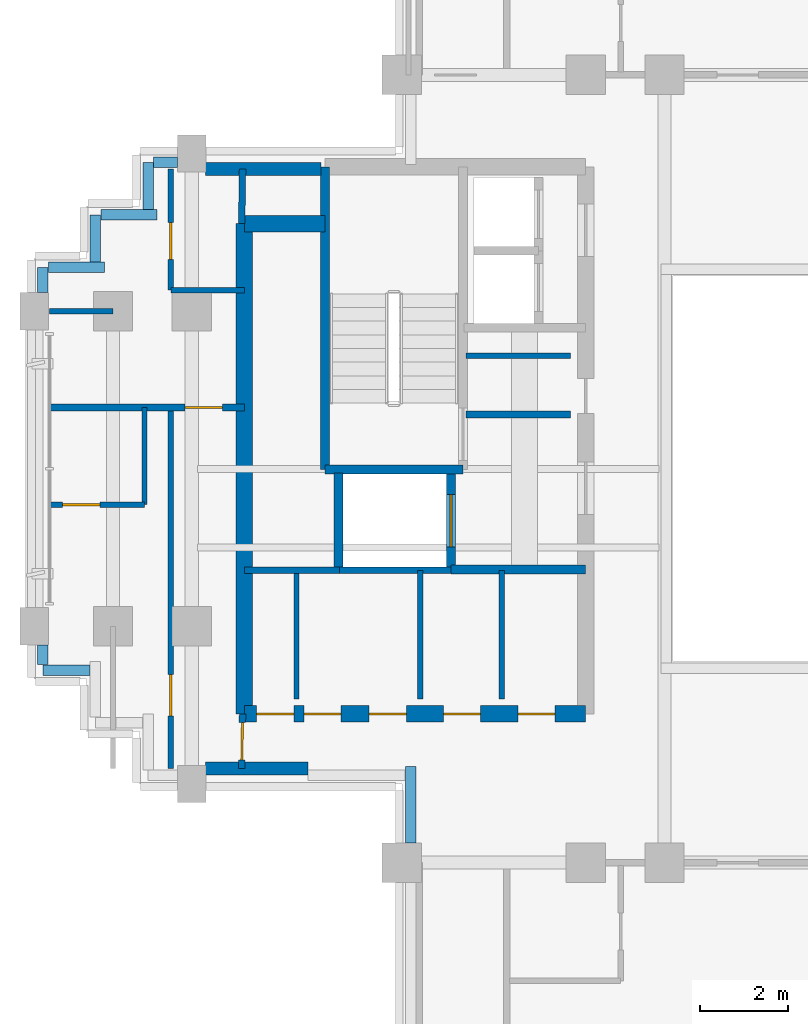
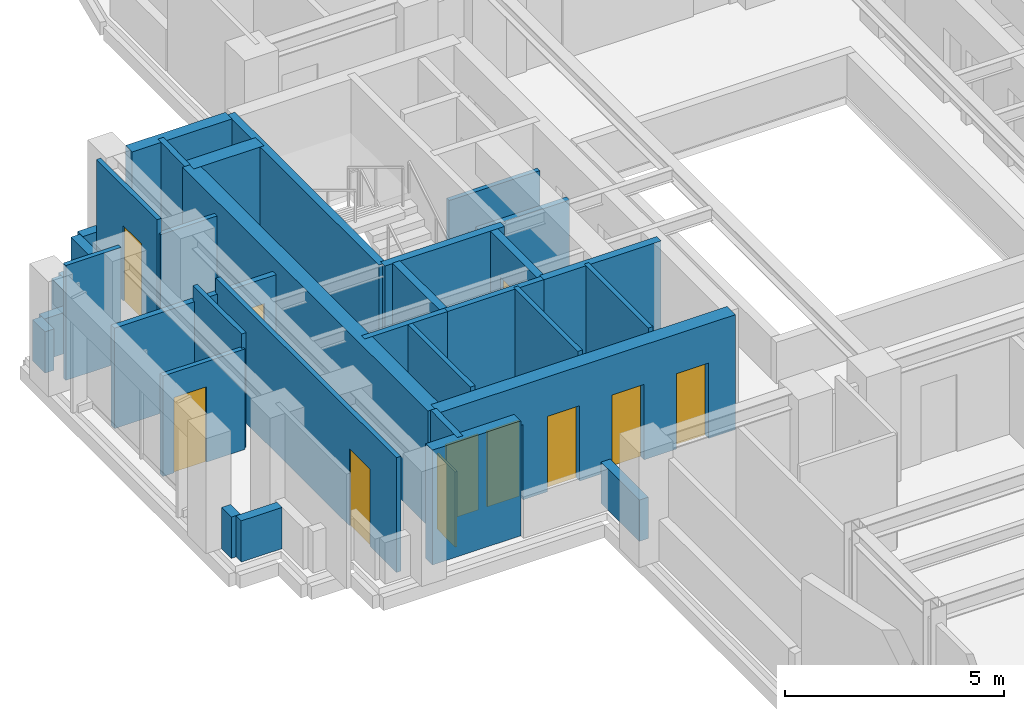
# One storey, part 6 of 12: 35 walls, 11 doors, 11 openings.
"""IFC4 building model written with IfcOpenShell, lengths in metres."""

from ifc_helpers import new_model, si_unit, direction, frame, frame_2d, origin, place, context, subcontext, project, spatial, rectangle, extrude, source, transform, mapped, material, layer, layer_set, type_object, element, fill, save


model = new_model("IFC4")

# Units and contexts
model_context = context("Model", 3, precision=1e-05, world=origin(), true_north=direction((0.0, 1.0)))
body_context = subcontext(model_context, "Body", "Model", "MODEL_VIEW")
ifc_project = project(units=[si_unit("LENGTHUNIT", "METRE"), si_unit("AREAUNIT", "SQUARE_METRE"), si_unit("VOLUMEUNIT", "CUBIC_METRE"), si_unit("PLANEANGLEUNIT", "RADIAN"), si_unit("MASSUNIT", "GRAM", prefix="KILO")], contexts=[model_context])

# Site, building, storey
site_placement = place(None, origin())
site = spatial("IfcSite", under=ifc_project, at=site_placement, CompositionType="ELEMENT")
building_placement = place(site_placement, origin())
building = spatial("IfcBuilding", under=site, at=building_placement, Name="Keilestroom Media Tower", CompositionType="ELEMENT")
storey_placement = place(building_placement, frame((0.0, 0.0, 191.0)))
storey = spatial("IfcBuildingStorey", under=building, at=storey_placement, Name="L52", CompositionType="ELEMENT", Elevation=191.0)

# Walls
ifc_material_1 = material(Name="Precast concrete C40/50", Category="concrete")
ifc_layer_1 = layer(ifc_material_1, 0.300048828125)
ifc_layer_set_1 = layer_set([ifc_layer_1], Name="Precast concrete C40/50")
wall_type_1 = type_object("IfcWallType", Name="Exterior-Masonry-Spandrel-Wall-300", PredefinedType="SOLIDWALL", material=ifc_layer_set_1)
wall_1_placement = place(storey_placement, frame((-14.0830078125, 6.85009765625, 0.0), z_axis=(0.0, 0.0, 1.0), x_axis=(1.0, 0.0, 0.0)))
element("IfcWall", 1, at=wall_1_placement, inside=storey, type_object=wall_type_1, Name="L52 Flank Masonry Wall EWL-L52-NW-1", PredefinedType="SOLIDWALL", context=body_context, shape_type="SweptSolid", body=[
    extrude(rectangle(XDim=2.635009765625, YDim=0.300048828125, at=frame_2d((1.3173828125, 0.0))), origin(), (0.0, 0.0, 1.0), 3.199951171875),
])
wall_2_placement = place(storey_placement, frame((-14.0830078125, -6.85009765625, 0.0), z_axis=(0.0, 0.0, 1.0), x_axis=(1.0, 0.0, 0.0)))
element("IfcWall", 2, at=wall_2_placement, inside=storey, type_object=wall_type_1, Name="L52 Flank Masonry Wall EWL-L52-SW-1", PredefinedType="SOLIDWALL", context=body_context, shape_type="SweptSolid", body=[
    extrude(rectangle(XDim=2.3330078125, YDim=0.300048828125, at=frame_2d((1.16650390625, 0.0))), origin(), (0.0, 0.0, 1.0), 3.199951171875),
])
ifc_material_2 = material(Name="Gypsum Plasterboard & Steel Stud", Category="steel")
ifc_layer_2 = layer(ifc_material_2, 0.1201171875)
ifc_layer_set_2 = layer_set([ifc_layer_2], Name="Gypsum Plasterboard & Steel Stud")
wall_type_2 = type_object("IfcWallType", Name="Interior-Partition-Wall-120", PredefinedType="PARTITIONING", material=ifc_layer_set_2)
wall_3_placement = place(storey_placement, frame((-8.139892578125, 2.580078125, 0.0), z_axis=(0.0, 0.0, 1.0), x_axis=(1.0, 0.0, 0.0)))
element("IfcWall", 3, at=wall_3_placement, inside=storey, type_object=wall_type_2, Name="L52 Interior Wall WP-L52-CNW-N", PredefinedType="PARTITIONING", context=body_context, shape_type="SweptSolid", body=[
    extrude(rectangle(XDim=2.389892578125, YDim=0.1201171875, at=frame_2d((1.19482421875, 0.0))), origin(), (0.0, 0.0, 1.0), 2.300048828125),
])
for number, where, z_axis, x_axis, name in (
    (4, (-12.010009765625, -5.260009765625, 0.0), (0.0, 0.0, 1.0), (0.0, 1.0, 0.0), "L52 Interior Wall WP-L52-RECLW-M"),
    (5, (-9.179931640625, -5.260009765625, 0.0), (0.0, 0.0, 1.0), (0.0, 1.0, 0.0), "L52 Interior Wall WP-L52-RECMW-M1"),
    (6, (-7.320068359375, -5.260009765625, 0.0), (0.0, 0.0, 1.0), (0.0, 1.0, 0.0), "L52 Interior Wall WP-L52-RECMW-M2"),
):
    element("IfcWall", number, at=place(storey_placement, frame(where, z_axis=z_axis, x_axis=x_axis)), inside=storey, type_object=wall_type_2, Name=name, PredefinedType="PARTITIONING", context=body_context, shape_type="SweptSolid", body=[
        extrude(rectangle(XDim=2.93994140625, YDim=0.1201171875, at=frame_2d((1.469970703125, 0.0))), origin(), (0.0, 0.0, 1.0), 3.199951171875),
    ])
wall_4_placement = place(storey_placement, frame((-17.64990234375, 3.60009765625, 0.0), z_axis=(0.0, 0.0, 1.0), x_axis=(1.0, 0.0, 0.0)))
element("IfcWall", 7, at=wall_4_placement, inside=storey, type_object=wall_type_2, Name="L52 Interior Wall WP-L52-HWW-C36N", PredefinedType="PARTITIONING", context=body_context, shape_type="SweptSolid", body=[
    extrude(rectangle(XDim=1.449951171875, YDim=0.1201171875, at=frame_2d((0.72509765625, 0.0))), origin(), (0.0, 0.0, 1.0), 3.199951171875),
])

# Wall, opening, door
wall_5_placement = place(storey_placement, frame((-14.8798828125, -6.85009765625, 0.0), z_axis=(0.0, 0.0, 1.0), x_axis=(0.0, 1.0, 0.0)))
wall_5 = element("IfcWall", 8, at=wall_5_placement, inside=storey, type_object=wall_type_2, Name="L52 Interior Wall WP-L52-HWW-VW", PredefinedType="PARTITIONING", context=body_context, shape_type="SweptSolid", body=[
    extrude(rectangle(XDim=8.25, YDim=0.1201171875, at=frame_2d((4.125, 0.0))), origin(), (0.0, 0.0, 1.0), 3.199951171875),
])
opening_1_placement = place(wall_5_placement, frame((1.199951171875, 0.0, 0.0)))
opening_1 = element("IfcOpeningElement", 9, at=opening_1_placement, cuts=wall_5, Name="Opening DI-03", PredefinedType="OPENING", context=body_context, shape_type="SweptSolid", body=[
    extrude(rectangle(XDim=0.949951171875, YDim=2.14990234375, at=frame_2d((0.47509765625, 1.074951171875))), frame((0.0, 0.070068359375, 0.0), z_axis=(0.0, -1.0, 0.0), x_axis=(1.0, 0.0, 0.0)), (0.0, 0.0, 1.0), 0.14013671875),
])
ifc_material_3 = material(Name="Lacquered European Oak Leaf", Category="wood")
door_type_1 = type_object("IfcDoorType", Name="Interior-Room-And-Suite-Door-DI-03", OperationType="NOTDEFINED", PredefinedType="DOOR", material=ifc_material_3)
shared_shape_1 = source(origin(), body_context, "Body", "SweptSolid", [
    extrude(rectangle(XDim=0.949951171875, YDim=2.14990234375, at=frame_2d((0.47509765625, 1.074951171875))), frame((0.0, 0.02490234375, 0.0), z_axis=(0.0, -1.0, 0.0), x_axis=(1.0, 0.0, 0.0)), (0.0, 0.0, 1.0), 0.050048828125),
])
door_1_placement = place(opening_1_placement, origin())
door_1 = element("IfcDoor", 10, at=door_1_placement, inside=storey, type_object=door_type_1, Name="L52 Interior Door DI-L52-DHTL-WS", OperationType="SINGLE_SWING_RIGHT", OverallHeight=2.14990234375, OverallWidth=0.949951171875, PredefinedType="DOOR", context=body_context, shape_type="MappedRepresentation", body=[
    mapped(shared_shape_1, transform((0.0, 0.0, 0.0), x_axis=(1.0, 0.0, 0.0), y_axis=(0.0, 1.0, 0.0), z_axis=(0.0, 0.0, 1.0), scale=1.0)),
])
fill(opening_1, door_1)

wall_6_placement = place(storey_placement, frame((-17.64990234375, -0.820068359375, 0.0), z_axis=(0.0, 0.0, 1.0), x_axis=(1.0, 0.0, 0.0)))
wall_6 = element("IfcWall", 11, at=wall_6_placement, inside=storey, type_object=wall_type_2, Name="L52 Interior Wall WP-L52-ENSW-WSS", PredefinedType="PARTITIONING", context=body_context, shape_type="SweptSolid", body=[
    extrude(rectangle(XDim=2.169921875, YDim=0.1201171875, at=frame_2d((1.0849609375, 0.0))), origin(), (0.0, 0.0, 1.0), 2.800048828125),
])
opening_2_placement = place(wall_6_placement, frame((0.300048828125, 0.0, 0.0)))
opening_2 = element("IfcOpeningElement", 12, at=opening_2_placement, cuts=wall_6, Name="Opening DI-05", PredefinedType="OPENING", context=body_context, shape_type="SweptSolid", body=[
    extrude(rectangle(XDim=0.85009765625, YDim=2.10009765625, at=frame_2d((0.425048828125, 1.050048828125))), frame((0.0, 0.070068359375, 0.0), z_axis=(0.0, -1.0, 0.0), x_axis=(1.0, 0.0, 0.0)), (0.0, 0.0, 1.0), 0.14013671875),
])
ifc_material_4 = material(Name="Moisture-Resistant Oak Leaf", Category="wood")
door_type_2 = type_object("IfcDoorType", Name="Interior-En-Suite-And-Cupboard-Door-DI-05", OperationType="NOTDEFINED", PredefinedType="DOOR", material=ifc_material_4)
shared_shape_2 = source(origin(), body_context, "Body", "SweptSolid", [
    extrude(rectangle(XDim=0.85009765625, YDim=2.10009765625, at=frame_2d((0.425048828125, 1.050048828125))), frame((0.0, 0.02490234375, 0.0), z_axis=(0.0, -1.0, 0.0), x_axis=(1.0, 0.0, 0.0)), (0.0, 0.0, 1.0), 0.050048828125),
])
door_2_placement = place(opening_2_placement, origin())
door_2 = element("IfcDoor", 13, at=door_2_placement, inside=storey, type_object=door_type_2, Name="L52 Interior Door DI-L52-DENS-WS", OperationType="SINGLE_SWING_LEFT", OverallHeight=2.10009765625, OverallWidth=0.85009765625, PredefinedType="DOOR", context=body_context, shape_type="MappedRepresentation", body=[
    mapped(shared_shape_2, transform((0.0, 0.0, 0.0), x_axis=(1.0, 0.0, 0.0), y_axis=(0.0, 1.0, 0.0), z_axis=(0.0, 0.0, 1.0), scale=1.0)),
])
fill(opening_2, door_2)

# Wall
wall_7_placement = place(storey_placement, frame((-15.47998046875, -0.820068359375, 0.0), z_axis=(0.0, 0.0, 1.0), x_axis=(0.0, 1.0, 0.0)))
element("IfcWall", 14, at=wall_7_placement, inside=storey, type_object=wall_type_2, Name="L52 Interior Wall WP-L52-ENSW-WSE", PredefinedType="PARTITIONING", context=body_context, shape_type="SweptSolid", body=[
    extrude(rectangle(XDim=2.219970703125, YDim=0.1201171875, at=frame_2d((1.10986328125, 0.0))), origin(), (0.0, 0.0, 1.0), 3.199951171875),
])

# Wall, opening, door
wall_8_placement = place(storey_placement, frame((-14.8798828125, 4.080078125, 0.0), z_axis=(0.0, 0.0, 1.0), x_axis=(0.0, 1.0, 0.0)))
wall_8 = element("IfcWall", 15, at=wall_8_placement, inside=storey, type_object=wall_type_2, Name="L52 Interior Wall WP-L52-ENSW-WNW", PredefinedType="PARTITIONING", context=body_context, shape_type="SweptSolid", body=[
    extrude(rectangle(XDim=2.77001953125, YDim=0.1201171875, at=frame_2d((1.385009765625, 0.0))), origin(), (0.0, 0.0, 1.0), 3.199951171875),
])
opening_3_placement = place(wall_8_placement, frame((0.699951171875, 0.0, 0.0)))
opening_3 = element("IfcOpeningElement", 16, at=opening_3_placement, cuts=wall_8, Name="Opening DI-05", PredefinedType="OPENING", context=body_context, shape_type="SweptSolid", body=[
    extrude(rectangle(XDim=0.85009765625, YDim=2.10009765625, at=frame_2d((0.425048828125, 1.050048828125))), frame((0.0, 0.070068359375, 0.0), z_axis=(0.0, -1.0, 0.0), x_axis=(1.0, 0.0, 0.0)), (0.0, 0.0, 1.0), 0.14013671875),
])
door_3_placement = place(opening_3_placement, origin())
door_3 = element("IfcDoor", 17, at=door_3_placement, inside=storey, type_object=door_type_2, Name="L52 Interior Door DI-L52-DENS-WN", OperationType="SINGLE_SWING_LEFT", OverallHeight=2.10009765625, OverallWidth=0.85009765625, PredefinedType="DOOR", context=body_context, shape_type="MappedRepresentation", body=[
    mapped(shared_shape_2, transform((0.0, 0.0, 0.0), x_axis=(1.0, 0.0, 0.0), y_axis=(0.0, 1.0, 0.0), z_axis=(0.0, 0.0, 1.0), scale=1.0)),
])
fill(opening_3, door_3)

# Walls
wall_9_placement = place(storey_placement, frame((-14.8798828125, 4.080078125, 0.0), z_axis=(0.0, 0.0, 1.0), x_axis=(1.0, 0.0, 0.0)))
element("IfcWall", 18, at=wall_9_placement, inside=storey, type_object=wall_type_2, Name="L52 Interior Wall WP-L52-ENSW-WNS", PredefinedType="PARTITIONING", context=body_context, shape_type="SweptSolid", body=[
    extrude(rectangle(XDim=1.679931640625, YDim=0.1201171875, at=frame_2d((0.83984375, 0.0))), origin(), (0.0, 0.0, 1.0), 2.800048828125),
])
ifc_layer_3 = layer(ifc_material_2, 0.14990234375)
ifc_layer_set_3 = layer_set([ifc_layer_3], Name="Gypsum Plasterboard & Steel Stud")
wall_type_3 = type_object("IfcWallType", Name="Interior-Partition-Wall-150", PredefinedType="PARTITIONING", material=ifc_layer_set_3)
wall_10_placement = place(storey_placement, frame((-8.139892578125, 1.239990234375, 0.0), z_axis=(0.0, 0.0, 1.0), x_axis=(1.0, 0.0, 0.0)))
element("IfcWall", 19, at=wall_10_placement, inside=storey, type_object=wall_type_3, Name="L52 Interior Wall WP-L52-FFW-TOP", PredefinedType="PARTITIONING", context=body_context, shape_type="SweptSolid", body=[
    extrude(rectangle(XDim=2.389892578125, YDim=0.14990234375, at=frame_2d((1.19482421875, 0.0))), origin(), (0.0, 0.0, 1.0), 2.300048828125),
])
wall_11_placement = place(storey_placement, frame((-13.199951171875, -2.320068359375, 0.0), z_axis=(0.0, 0.0, 1.0), x_axis=(1.0, 0.0, 0.0)))
element("IfcWall", 20, at=wall_11_placement, inside=storey, type_object=wall_type_3, Name="L52 Interior Wall WP-L52-RECLW-N", PredefinedType="PARTITIONING", context=body_context, shape_type="SweptSolid", body=[
    extrude(rectangle(XDim=2.179931640625, YDim=0.14990234375, at=frame_2d((1.08984375, 0.0))), origin(), (0.0, 0.0, 1.0), 3.199951171875),
])
wall_12_placement = place(storey_placement, frame((-11.0400390625, -2.320068359375, 0.0), z_axis=(0.0, 0.0, 1.0), x_axis=(1.0, 0.0, 0.0)))
element("IfcWall", 21, at=wall_12_placement, inside=storey, type_object=wall_type_3, Name="L52 Interior Wall WP-L52-RECMW-N", PredefinedType="PARTITIONING", context=body_context, shape_type="SweptSolid", body=[
    extrude(rectangle(XDim=2.56005859375, YDim=0.14990234375, at=frame_2d((1.280029296875, 0.0))), origin(), (0.0, 0.0, 1.0), 3.199951171875),
])

# Wall, opening, door
wall_13_placement = place(storey_placement, frame((-13.260009765625, -6.85009765625, 0.0), z_axis=(0.0, 0.0, 1.0), x_axis=(0.016013571389, 0.999871774545, 0.0)))
wall_13 = element("IfcWall", 22, at=wall_13_placement, inside=storey, type_object=wall_type_3, Name="L52 Interior Wall WP-L52-HWW-ENTS", PredefinedType="PARTITIONING", context=body_context, shape_type="SweptSolid", body=[
    extrude(rectangle(XDim=1.250244140625, YDim=0.14990234375, at=frame_2d((0.625, 0.0))), origin(), (0.0, 0.0, 1.0), 3.199951171875),
])
opening_4_placement = place(wall_13_placement, frame((0.199951171875, 0.0, 0.0)))
opening_4 = element("IfcOpeningElement", 23, at=opening_4_placement, cuts=wall_13, Name="Opening DI-05", PredefinedType="OPENING", context=body_context, shape_type="SweptSolid", body=[
    extrude(rectangle(XDim=0.85009765625, YDim=2.10009765625, at=frame_2d((0.425048828125, 1.050048828125))), frame((0.0, 0.0849609375, 0.0), z_axis=(0.0, -1.0, 0.0), x_axis=(1.0, 0.0, 0.0)), (0.0, 0.0, 1.0), 0.169921875),
])
door_4_placement = place(opening_4_placement, origin())
door_4 = element("IfcDoor", 24, at=door_4_placement, inside=storey, type_object=door_type_2, Name="L52 Interior Door DI-L52-DHWW-ENTS", OperationType="SINGLE_SWING_RIGHT", OverallHeight=2.10009765625, OverallWidth=0.85009765625, PredefinedType="DOOR", context=body_context, shape_type="MappedRepresentation", body=[
    mapped(shared_shape_2, transform((0.0, 0.0, 0.0), x_axis=(1.0, 0.0, 0.0), y_axis=(0.0, 1.0, 0.0), z_axis=(0.0, 0.0, 1.0), scale=1.0)),
])
fill(opening_4, door_4)

# Wall
wall_14_placement = place(storey_placement, frame((-13.260009765625, 5.60009765625, 0.0), z_axis=(0.0, 0.0, 1.0), x_axis=(0.016013571389, 0.999871774545, 0.0)))
element("IfcWall", 25, at=wall_14_placement, inside=storey, type_object=wall_type_3, Name="L52 Interior Wall WP-L52-HWW-WNK", PredefinedType="PARTITIONING", context=body_context, shape_type="SweptSolid", body=[
    extrude(rectangle(XDim=1.250244140625, YDim=0.14990234375, at=frame_2d((0.625, 0.0))), origin(), (0.0, 0.0, 1.0), 3.199951171875),
])

# Wall, opening, door
wall_15_placement = place(storey_placement, frame((-17.64990234375, 1.39990234375, 0.0), z_axis=(0.0, 0.0, 1.0), x_axis=(1.0, 0.0, 0.0)))
wall_15 = element("IfcWall", 26, at=wall_15_placement, inside=storey, type_object=wall_type_3, Name="L52 Interior Wall WP-L52-HWW-MID", PredefinedType="PARTITIONING", context=body_context, shape_type="SweptSolid", body=[
    extrude(rectangle(XDim=4.449951171875, YDim=0.14990234375, at=frame_2d((2.22509765625, 0.0))), origin(), (0.0, 0.0, 1.0), 2.800048828125),
])
opening_5_placement = place(wall_15_placement, frame((3.10009765625, 0.0, 0.0)))
opening_5 = element("IfcOpeningElement", 27, at=opening_5_placement, cuts=wall_15, Name="Opening DI-05", PredefinedType="OPENING", context=body_context, shape_type="SweptSolid", body=[
    extrude(rectangle(XDim=0.85009765625, YDim=2.10009765625, at=frame_2d((0.425048828125, 1.050048828125))), frame((0.0, 0.0849609375, 0.0), z_axis=(0.0, -1.0, 0.0), x_axis=(1.0, 0.0, 0.0)), (0.0, 0.0, 1.0), 0.169921875),
])
door_5_placement = place(opening_5_placement, origin())
door_5 = element("IfcDoor", 28, at=door_5_placement, inside=storey, type_object=door_type_2, Name="L52 Interior Door DI-L52-DHTL-WN", OperationType="SINGLE_SWING_RIGHT", OverallHeight=2.10009765625, OverallWidth=0.85009765625, PredefinedType="DOOR", context=body_context, shape_type="MappedRepresentation", body=[
    mapped(shared_shape_2, transform((0.0, 0.0, 0.0), x_axis=(1.0, 0.0, 0.0), y_axis=(0.0, 1.0, 0.0), z_axis=(0.0, 0.0, 1.0), scale=1.0)),
])
fill(opening_5, door_5)

# Walls
ifc_material_5 = material(Name="Concrete C55/67", Category="concrete")
ifc_layer_4 = layer(ifc_material_5, 0.3798828125)
ifc_layer_set_4 = layer_set([ifc_layer_4], Name="Concrete C55/67")
wall_type_4 = type_object("IfcWallType", Name="Reinforced-Concrete-Core-Shear-Wall-380", PredefinedType="SHEAR", material=ifc_layer_set_4)
wall_16_placement = place(storey_placement, frame((-13.199951171875, -5.60009765625, 0.0), z_axis=(0.0, 0.0, 1.0), x_axis=(0.0, 1.0, 0.0)))
element("IfcWall", 29, at=wall_16_placement, inside=storey, type_object=wall_type_4, Name="L52 Core Shear Wall WL-L52-CORE-W-OUT", PredefinedType="SHEAR", context=body_context, shape_type="SweptSolid", body=[
    extrude(rectangle(XDim=11.2001953125, YDim=0.3798828125, at=frame_2d((5.60009765625, 0.0))), origin(), (0.0, 0.0, 1.0), 3.199951171875),
])
wall_17_placement = place(storey_placement, frame((-13.199951171875, 5.60009765625, 0.0), z_axis=(0.0, 0.0, 1.0), x_axis=(1.0, 0.0, 0.0)))
element("IfcWall", 30, at=wall_17_placement, inside=storey, type_object=wall_type_4, Name="L52 Core Shear Wall WL-L52-CNW-N", PredefinedType="SHEAR", context=body_context, shape_type="SweptSolid", body=[
    extrude(rectangle(XDim=1.843994140625, YDim=0.3798828125, at=frame_2d((0.921875, 0.0))), origin(), (0.0, 0.0, 1.0), 3.199951171875),
])

# Wall, openings, doors
wall_18_placement = place(storey_placement, frame((-13.199951171875, -5.60009765625, 0.0), z_axis=(0.0, 0.0, 1.0), x_axis=(1.0, 0.0, 0.0)))
wall_18 = element("IfcWall", 31, at=wall_18_placement, inside=storey, type_object=wall_type_4, Name="L52 Core Shear Wall WL-L52-CORE-W-S", PredefinedType="SHEAR", context=body_context, shape_type="SweptSolid", body=[
    extrude(rectangle(XDim=7.800048828125, YDim=0.3798828125, at=frame_2d((3.89990234375, 0.0))), origin(), (0.0, 0.0, 1.0), 3.199951171875),
])
opening_6_placement = place(wall_18_placement, frame((0.280029296875, 0.0, 0.0)))
opening_6 = element("IfcOpeningElement", 32, at=opening_6_placement, cuts=wall_18, Name="Opening DI-05", PredefinedType="OPENING", context=body_context, shape_type="SweptSolid", body=[
    extrude(rectangle(XDim=0.85009765625, YDim=2.10009765625, at=frame_2d((0.425048828125, 1.050048828125))), frame((0.0, 0.199951171875, 0.0), z_axis=(0.0, -1.0, 0.0), x_axis=(1.0, 0.0, 0.0)), (0.0, 0.0, 1.0), 0.39990234375),
])
opening_7_placement = place(wall_18_placement, frame((1.360107421875, 0.0, 0.0)))
opening_7 = element("IfcOpeningElement", 33, at=opening_7_placement, cuts=wall_18, Name="Opening DI-05", PredefinedType="OPENING", context=body_context, shape_type="SweptSolid", body=[
    extrude(rectangle(XDim=0.85009765625, YDim=2.10009765625, at=frame_2d((0.425048828125, 1.050048828125))), frame((0.0, 0.199951171875, 0.0), z_axis=(0.0, -1.0, 0.0), x_axis=(1.0, 0.0, 0.0)), (0.0, 0.0, 1.0), 0.39990234375),
])
opening_8_placement = place(wall_18_placement, frame((2.85009765625, 0.0, 0.0)))
opening_8 = element("IfcOpeningElement", 34, at=opening_8_placement, cuts=wall_18, Name="Opening DI-05", PredefinedType="OPENING", context=body_context, shape_type="SweptSolid", body=[
    extrude(rectangle(XDim=0.85009765625, YDim=2.10009765625, at=frame_2d((0.425048828125, 1.050048828125))), frame((0.0, 0.199951171875, 0.0), z_axis=(0.0, -1.0, 0.0), x_axis=(1.0, 0.0, 0.0)), (0.0, 0.0, 1.0), 0.39990234375),
])
opening_9_placement = place(wall_18_placement, frame((4.550048828125, 0.0, 0.0)))
opening_9 = element("IfcOpeningElement", 35, at=opening_9_placement, cuts=wall_18, Name="Opening DI-05", PredefinedType="OPENING", context=body_context, shape_type="SweptSolid", body=[
    extrude(rectangle(XDim=0.85009765625, YDim=2.10009765625, at=frame_2d((0.425048828125, 1.050048828125))), frame((0.0, 0.199951171875, 0.0), z_axis=(0.0, -1.0, 0.0), x_axis=(1.0, 0.0, 0.0)), (0.0, 0.0, 1.0), 0.39990234375),
])
opening_10_placement = place(wall_18_placement, frame((6.25, 0.0, 0.0)))
opening_10 = element("IfcOpeningElement", 36, at=opening_10_placement, cuts=wall_18, Name="Opening DI-05", PredefinedType="OPENING", context=body_context, shape_type="SweptSolid", body=[
    extrude(rectangle(XDim=0.85009765625, YDim=2.10009765625, at=frame_2d((0.425048828125, 1.050048828125))), frame((0.0, 0.199951171875, 0.0), z_axis=(0.0, -1.0, 0.0), x_axis=(1.0, 0.0, 0.0)), (0.0, 0.0, 1.0), 0.39990234375),
])
door_6_placement = place(opening_6_placement, origin())
door_6 = element("IfcDoor", 37, at=door_6_placement, inside=storey, type_object=door_type_2, Name="L52 Reclaimed West Closet 1 Door", OperationType="SINGLE_SWING_LEFT", OverallHeight=2.10009765625, OverallWidth=0.85009765625, PredefinedType="DOOR", context=body_context, shape_type="MappedRepresentation", body=[
    mapped(shared_shape_2, transform((0.0, 0.0, 0.0), x_axis=(1.0, 0.0, 0.0), y_axis=(0.0, 1.0, 0.0), z_axis=(0.0, 0.0, 1.0), scale=1.0)),
])
fill(opening_6, door_6)
door_7_placement = place(opening_7_placement, origin())
door_7 = element("IfcDoor", 38, at=door_7_placement, inside=storey, type_object=door_type_2, Name="L52 Reclaimed West Closet 2 Door", OperationType="SINGLE_SWING_RIGHT", OverallHeight=2.10009765625, OverallWidth=0.85009765625, PredefinedType="DOOR", context=body_context, shape_type="MappedRepresentation", body=[
    mapped(shared_shape_2, transform((0.0, 0.0, 0.0), x_axis=(1.0, 0.0, 0.0), y_axis=(0.0, 1.0, 0.0), z_axis=(0.0, 0.0, 1.0), scale=1.0)),
])
fill(opening_7, door_7)
door_8_placement = place(opening_8_placement, origin())
door_8 = element("IfcDoor", 39, at=door_8_placement, inside=storey, type_object=door_type_2, Name="L52 Reclaimed Mid West Room 1 Door", OperationType="SINGLE_SWING_LEFT", OverallHeight=2.10009765625, OverallWidth=0.85009765625, PredefinedType="DOOR", context=body_context, shape_type="MappedRepresentation", body=[
    mapped(shared_shape_2, transform((0.0, 0.0, 0.0), x_axis=(1.0, 0.0, 0.0), y_axis=(0.0, 1.0, 0.0), z_axis=(0.0, 0.0, 1.0), scale=1.0)),
])
fill(opening_8, door_8)
door_9_placement = place(opening_9_placement, origin())
door_9 = element("IfcDoor", 40, at=door_9_placement, inside=storey, type_object=door_type_2, Name="L52 Reclaimed Mid West Room 2 Door", OperationType="SINGLE_SWING_LEFT", OverallHeight=2.10009765625, OverallWidth=0.85009765625, PredefinedType="DOOR", context=body_context, shape_type="MappedRepresentation", body=[
    mapped(shared_shape_2, transform((0.0, 0.0, 0.0), x_axis=(1.0, 0.0, 0.0), y_axis=(0.0, 1.0, 0.0), z_axis=(0.0, 0.0, 1.0), scale=1.0)),
])
fill(opening_9, door_9)
door_10_placement = place(opening_10_placement, origin())
door_10 = element("IfcDoor", 41, at=door_10_placement, inside=storey, type_object=door_type_2, Name="L52 Reclaimed Mid West Room 3 Door", OperationType="SINGLE_SWING_RIGHT", OverallHeight=2.10009765625, OverallWidth=0.85009765625, PredefinedType="DOOR", context=body_context, shape_type="MappedRepresentation", body=[
    mapped(shared_shape_2, transform((0.0, 0.0, 0.0), x_axis=(1.0, 0.0, 0.0), y_axis=(0.0, 1.0, 0.0), z_axis=(0.0, 0.0, 1.0), scale=1.0)),
])
fill(opening_10, door_10)

# Walls
ifc_material_6 = material(Name="Concrete C50/60", Category="concrete")
ifc_layer_5 = layer(ifc_material_6, 0.199951171875)
ifc_layer_set_5 = layer_set([ifc_layer_5], Name="Concrete C50/60")
wall_type_5 = type_object("IfcWallType", Name="Reinforced-Concrete-Shaft-Wall-200", PredefinedType="SOLIDWALL", material=ifc_layer_set_5)
wall_19_placement = place(storey_placement, frame((-8.47998046875, -2.300048828125, 0.0), z_axis=(0.0, 0.0, 1.0), x_axis=(1.0, 0.0, 0.0)))
element("IfcWall", 42, at=wall_19_placement, inside=storey, type_object=wall_type_5, Name="L52 Core Shear Wall WL-L52-CORE-W-FFS", PredefinedType="SOLIDWALL", context=body_context, shape_type="SweptSolid", body=[
    extrude(rectangle(XDim=3.080078125, YDim=0.199951171875, at=frame_2d((1.5400390625, 0.0))), origin(), (0.0, 0.0, 1.0), 3.199951171875),
])
wall_20_placement = place(storey_placement, frame((-11.35595703125, -0.01611328125, 0.0), z_axis=(0.0, 0.0, 1.0), x_axis=(0.0, 1.0, 0.0)))
element("IfcWall", 43, at=wall_20_placement, inside=storey, type_object=wall_type_5, Name="L52 Core Shear Wall WL-L52-STW-W-FAR", PredefinedType="SOLIDWALL", context=body_context, shape_type="SweptSolid", body=[
    extrude(rectangle(XDim=6.916015625, YDim=0.199951171875, at=frame_2d((3.4580078125, 0.0))), origin(), (0.0, 0.0, 1.0), 3.199951171875),
])
wall_21_placement = place(storey_placement, frame((-11.35595703125, -0.01611328125, 0.0), z_axis=(0.0, 0.0, 1.0), x_axis=(1.0, 0.0, 0.0)))
element("IfcWall", 44, at=wall_21_placement, inside=storey, type_object=wall_type_5, Name="L52 Core Shear Wall WL-L52-STW-W-S", PredefinedType="SOLIDWALL", context=body_context, shape_type="SweptSolid", body=[
    extrude(rectangle(XDim=3.15185546875, YDim=0.199951171875, at=frame_2d((1.575927734375, 0.0))), origin(), (0.0, 0.0, 1.0), 3.199951171875),
])
wall_22_placement = place(storey_placement, frame((-11.050048828125, -2.280029296875, 0.0), z_axis=(0.0, 0.0, 1.0), x_axis=(0.0, 1.0, 0.0)))
element("IfcWall", 45, at=wall_22_placement, inside=storey, type_object=wall_type_5, Name="L52 Core Shear Wall WL-L52-LSH-FFL-1-W", PredefinedType="SOLIDWALL", context=body_context, shape_type="SweptSolid", body=[
    extrude(rectangle(XDim=2.179931640625, YDim=0.199951171875, at=frame_2d((1.08984375, 0.0))), origin(), (0.0, 0.0, 1.0), 3.199951171875),
])

# Wall, opening, door
wall_23_placement = place(storey_placement, frame((-8.47998046875, -2.280029296875, 0.0), z_axis=(0.0, 0.0, 1.0), x_axis=(0.0, 1.0, 0.0)))
wall_23 = element("IfcWall", 46, at=wall_23_placement, inside=storey, type_object=wall_type_5, Name="L52 Core Shear Wall WL-L52-LSH-FFL-1-E", PredefinedType="SOLIDWALL", context=body_context, shape_type="SweptSolid", body=[
    extrude(rectangle(XDim=2.179931640625, YDim=0.199951171875, at=frame_2d((1.08984375, 0.0))), origin(), (0.0, 0.0, 1.0), 3.199951171875),
])
opening_11_placement = place(wall_23_placement, frame((0.489990234375, 0.0, 0.0)))
opening_11 = element("IfcOpeningElement", 47, at=opening_11_placement, cuts=wall_23, Name="Opening LD-02", PredefinedType="OPENING", context=body_context, shape_type="SweptSolid", body=[
    extrude(rectangle(XDim=1.199951171875, YDim=2.199951171875, at=frame_2d((0.60009765625, 1.10009765625))), frame((0.0, 0.10986328125, 0.0), z_axis=(0.0, -1.0, 0.0), x_axis=(1.0, 0.0, 0.0)), (0.0, 0.0, 1.0), 0.219970703125),
])
ifc_material_7 = material(Name="Brushed Stainless Steel Sliding Leaf", Category="steel")
door_type_3 = type_object("IfcDoorType", Name="Lift-Landing-Sliding-Door-LD-02", OperationType="SLIDING_TO_RIGHT", PredefinedType="DOOR", material=ifc_material_7)
shared_shape_3 = source(origin(), body_context, "Body", "SweptSolid", [
    extrude(rectangle(XDim=1.199951171875, YDim=2.199951171875, at=frame_2d((0.60009765625, 1.10009765625))), frame((0.0, 0.02490234375, 0.0), z_axis=(0.0, -1.0, 0.0), x_axis=(1.0, 0.0, 0.0)), (0.0, 0.0, 1.0), 0.050048828125),
])
door_11_placement = place(opening_11_placement, origin())
door_11 = element("IfcDoor", 48, at=door_11_placement, inside=storey, type_object=door_type_3, Name="L52 Lift FFL-1 Landing Sliding Door", OperationType="SLIDING_TO_RIGHT", OverallHeight=2.199951171875, OverallWidth=1.199951171875, PredefinedType="DOOR", context=body_context, shape_type="MappedRepresentation", body=[
    mapped(shared_shape_3, transform((0.0, 0.0, 0.0), x_axis=(1.0, 0.0, 0.0), y_axis=(0.0, 1.0, 0.0), z_axis=(0.0, 0.0, 1.0), scale=1.0)),
])
fill(opening_11, door_11)

# Walls
ifc_layer_6 = layer(ifc_material_1, 0.239990234375)
ifc_layer_set_6 = layer_set([ifc_layer_6], Name="Precast concrete C40/50")
wall_type_6 = type_object("IfcWallType", Name="Roof-And-Terrace-Parapet-Wall-240", PredefinedType="PARAPET", material=ifc_layer_set_6)
wall_24_placement = place(storey_placement, frame((-9.39990234375, -8.547119140625, 0.0), z_axis=(0.0, 0.0, 1.0), x_axis=(0.0, 1.0, 0.0)))
element("IfcWall", 49, at=wall_24_placement, inside=storey, type_object=wall_type_6, Name="L52 Perimeter Edge Parapet Wall 12", PredefinedType="PARAPET", context=body_context, shape_type="SweptSolid", body=[
    extrude(rectangle(XDim=1.7470703125, YDim=0.239990234375, at=frame_2d((0.87353515625, 0.0))), origin(), (0.0, 0.0, 1.0), 1.14990234375),
])
wall_25_placement = place(storey_placement, frame((-16.722900390625, -4.60009765625, 0.0), z_axis=(0.0, 0.0, 1.0), x_axis=(-1.0, 0.0, 0.0)))
element("IfcWall", 50, at=wall_25_placement, inside=storey, type_object=wall_type_6, Name="L52 Perimeter Edge Parapet Wall 19", PredefinedType="PARAPET", context=body_context, shape_type="SweptSolid", body=[
    extrude(rectangle(XDim=1.0771484375, YDim=0.239990234375, at=frame_2d((0.53857421875, 0.0))), origin(), (0.0, 0.0, 1.0), 1.14990234375),
])
wall_26_placement = place(storey_placement, frame((-17.800048828125, -4.47705078125, 0.0), z_axis=(0.0, 0.0, 1.0), x_axis=(0.0, 1.0, 0.0)))
element("IfcWall", 51, at=wall_26_placement, inside=storey, type_object=wall_type_6, Name="L52 Perimeter Edge Parapet Wall 20", PredefinedType="PARAPET", context=body_context, shape_type="SweptSolid", body=[
    extrude(rectangle(XDim=0.448974609375, YDim=0.239990234375, at=frame_2d((0.224609375, 0.0))), origin(), (0.0, 0.0, 1.0), 1.14990234375),
])
wall_27_placement = place(storey_placement, frame((-17.800048828125, 4.028076171875, 0.0), z_axis=(0.0, 0.0, 1.0), x_axis=(0.0, 1.0, 0.0)))
element("IfcWall", 52, at=wall_27_placement, inside=storey, type_object=wall_type_6, Name="L52 Perimeter Edge Parapet Wall 21", PredefinedType="PARAPET", context=body_context, shape_type="SweptSolid", body=[
    extrude(rectangle(XDim=0.572021484375, YDim=0.239990234375, at=frame_2d((0.2861328125, 0.0))), origin(), (0.0, 0.0, 1.0), 1.14990234375),
])
wall_28_placement = place(storey_placement, frame((-17.677001953125, 4.60009765625, 0.0), z_axis=(0.0, 0.0, 1.0), x_axis=(1.0, 0.0, 0.0)))
element("IfcWall", 53, at=wall_28_placement, inside=storey, type_object=wall_type_6, Name="L52 Perimeter Edge Parapet Wall 22", PredefinedType="PARAPET", context=body_context, shape_type="SweptSolid", body=[
    extrude(rectangle(XDim=1.277099609375, YDim=0.239990234375, at=frame_2d((0.638671875, 0.0))), origin(), (0.0, 0.0, 1.0), 1.14990234375),
])
wall_29_placement = place(storey_placement, frame((-16.60009765625, 4.722900390625, 0.0), z_axis=(0.0, 0.0, 1.0), x_axis=(0.0, 1.0, 0.0)))
element("IfcWall", 54, at=wall_29_placement, inside=storey, type_object=wall_type_6, Name="L52 Perimeter Edge Parapet Wall 23", PredefinedType="PARAPET", context=body_context, shape_type="SweptSolid", body=[
    extrude(rectangle(XDim=1.0771484375, YDim=0.239990234375, at=frame_2d((0.53857421875, 0.0))), origin(), (0.0, 0.0, 1.0), 1.14990234375),
])
wall_30_placement = place(storey_placement, frame((-16.47705078125, 5.800048828125, 0.0), z_axis=(0.0, 0.0, 1.0), x_axis=(1.0, 0.0, 0.0)))
element("IfcWall", 55, at=wall_30_placement, inside=storey, type_object=wall_type_6, Name="L52 Perimeter Edge Parapet Wall 24", PredefinedType="PARAPET", context=body_context, shape_type="SweptSolid", body=[
    extrude(rectangle(XDim=1.277099609375, YDim=0.239990234375, at=frame_2d((0.638671875, 0.0))), origin(), (0.0, 0.0, 1.0), 1.14990234375),
])
wall_31_placement = place(storey_placement, frame((-15.39990234375, 5.923095703125, 0.0), z_axis=(0.0, 0.0, 1.0), x_axis=(0.0, 1.0, 0.0)))
element("IfcWall", 56, at=wall_31_placement, inside=storey, type_object=wall_type_6, Name="L52 Perimeter Edge Parapet Wall 25", PredefinedType="PARAPET", context=body_context, shape_type="SweptSolid", body=[
    extrude(rectangle(XDim=1.076904296875, YDim=0.239990234375, at=frame_2d((0.53857421875, 0.0))), origin(), (0.0, 0.0, 1.0), 1.14990234375),
])
wall_32_placement = place(storey_placement, frame((-15.277099609375, 7.0, 0.0), z_axis=(0.0, 0.0, 1.0), x_axis=(1.0, 0.0, 0.0)))
element("IfcWall", 57, at=wall_32_placement, inside=storey, type_object=wall_type_6, Name="L52 Perimeter Edge Parapet Wall 26", PredefinedType="PARAPET", context=body_context, shape_type="SweptSolid", body=[
    extrude(rectangle(XDim=0.549072265625, YDim=0.239990234375, at=frame_2d((0.2744140625, 0.0))), origin(), (0.0, 0.0, 1.0), 1.14990234375),
])

save(model, "model.ifc")
